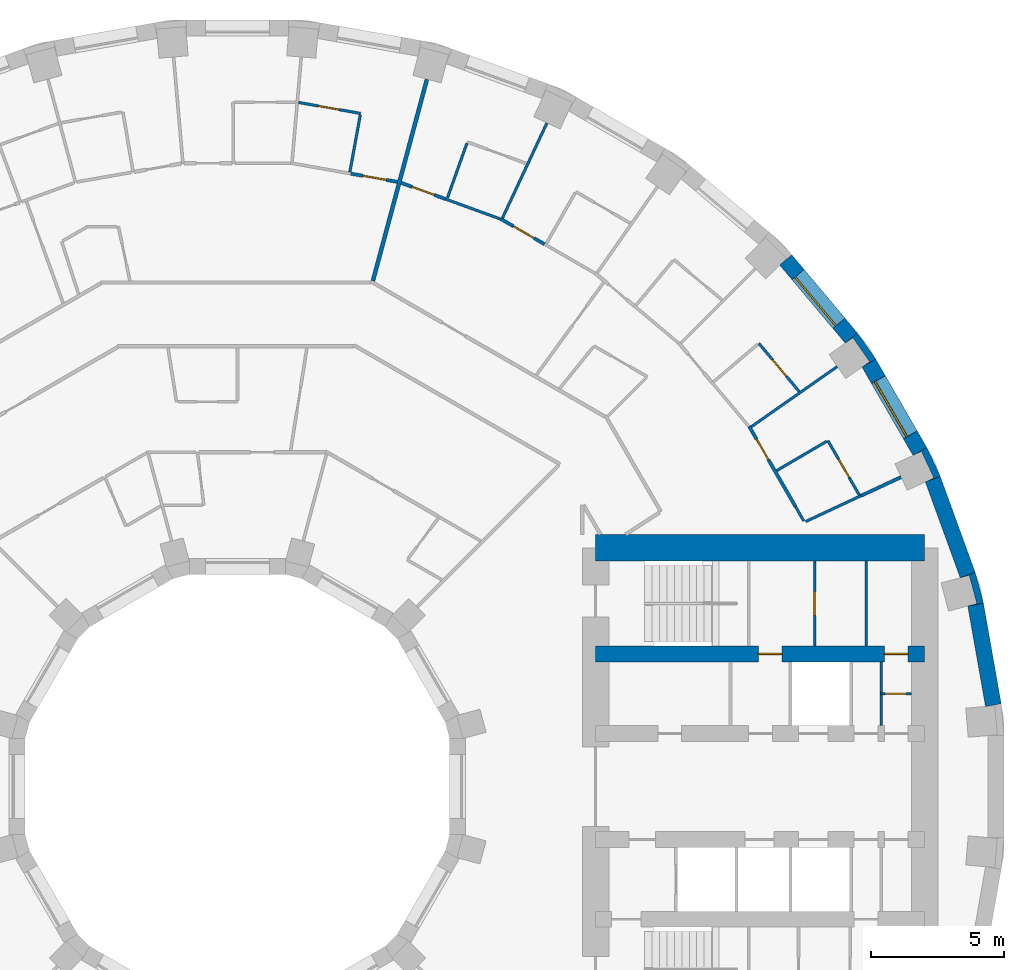
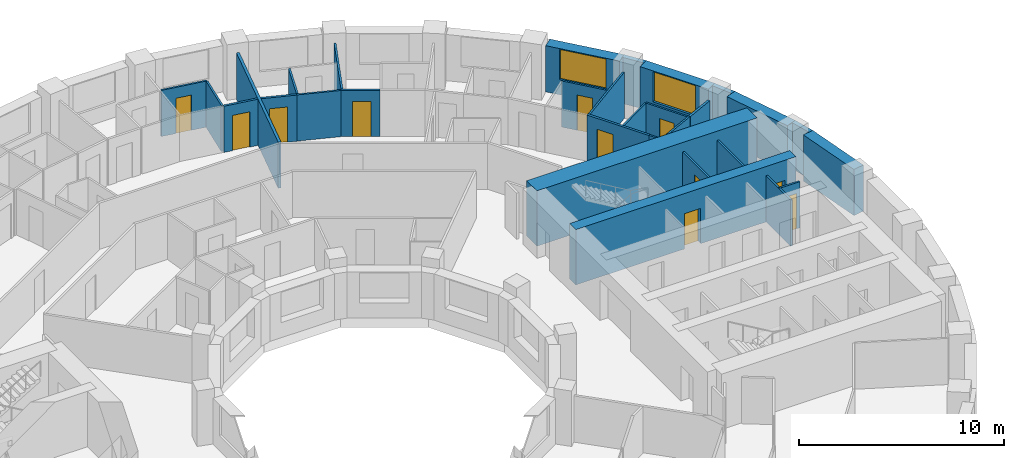
# One storey, part 14 of 17: 30 walls, 11 doors, 2 windows, 13 openings.
"""IFC4 building model written with IfcOpenShell, lengths in metres."""

import ifcopenshell
import ifcopenshell.guid

model = None  # the IFC model being written
_history = None  # IfcOwnerHistory: only IFC2X3 demands one
_inside = {}  # id of a spatial element -> (the spatial element, [elements in it])
_under = {}  # id of a project, library or spatial element -> (it, [spatial elements below it])
_declared = {}  # id of a project -> (the project, [libraries it declares])
_typed = {}  # id of a type object -> (the type object, [elements of that type])
_made_of = {}  # id of a material, layer set ... -> (it, [elements and type objects made of it])


def new_model(schema):
    """Start an empty IFC model of exactly this schema.

    Asked for "IFC4X3", IfcOpenShell would pick the latest addendum, in which some entities
    have other attributes; the version numbers below select the first issue.
    IFC2X3 requires an IfcOwnerHistory on every rooted entity: one is made here for all.
    """
    global model, _history
    if schema == "IFC4X3":
        model = ifcopenshell.file(schema_version=(4, 3, 0, 0))
    else:
        model = ifcopenshell.file(schema=schema)
    _inside.clear()
    _under.clear()
    _declared.clear()
    _typed.clear()
    _made_of.clear()
    _history = None
    if model.schema == "IFC2X3":
        org = make("IfcOrganization", Name="unknown")
        user = make(
            "IfcPersonAndOrganization",
            ThePerson=make("IfcPerson", FamilyName="unknown"),
            TheOrganization=org,
        )
        app = make(
            "IfcApplication",
            ApplicationDeveloper=org,
            Version="unknown",
            ApplicationFullName="unknown",
            ApplicationIdentifier="unknown",
        )
        _history = make(
            "IfcOwnerHistory",
            OwningUser=user,
            OwningApplication=app,
            ChangeAction="ADDED",
            CreationDate=0,
        )
    return model


def make(cls, **values):
    """One entity of the class cls with the attributes given. An attribute that is None is left unset."""
    return model.create_entity(
        cls, **{name: value for name, value in values.items() if value is not None}
    )


def rooted(cls, **values):
    """An entity with a GlobalId (a new one), such as an element, a storey or a relation."""
    return make(cls, GlobalId=ifcopenshell.guid.new(), OwnerHistory=_history, **values)


def si_unit(unit_type, name, prefix=None):
    """IfcSIUnit, for example si_unit("LENGTHUNIT", "METRE", prefix="MILLI")."""
    return make("IfcSIUnit", UnitType=unit_type, Prefix=prefix, Name=name)


def assignment(units):
    """IfcUnitAssignment: the units of a project."""
    return None if units is None else make("IfcUnitAssignment", Units=units)


def point(xyz):
    """IfcCartesianPoint."""
    return None if xyz is None else make("IfcCartesianPoint", Coordinates=xyz)


def direction(xyz):
    """IfcDirection."""
    return None if xyz is None else make("IfcDirection", DirectionRatios=xyz)


def frame(location, z_axis=None, x_axis=None):
    """IfcAxis2Placement3D, a coordinate frame: its origin and axes. An axis left out is left unset."""
    return make(
        "IfcAxis2Placement3D",
        Location=point(location),
        Axis=direction(z_axis),
        RefDirection=direction(x_axis),
    )


def frame_2d(location, x_axis=None):
    """IfcAxis2Placement2D, a coordinate frame in the plane: its origin and x axis."""
    return make(
        "IfcAxis2Placement2D", Location=point(location), RefDirection=direction(x_axis)
    )


def origin():
    """The frame at (0, 0, 0) with its axes left unset."""
    return frame((0.0, 0.0, 0.0))


def place(relative_to, where):
    """IfcLocalPlacement: puts the frame where relative to a parent placement (None: the world)."""
    return make(
        "IfcLocalPlacement", PlacementRelTo=relative_to, RelativePlacement=where
    )


def context(
    kind, dimensions, precision=None, world=None, true_north=None, identifier=None
):
    """IfcGeometricRepresentationContext, for example the 3D "Model" context."""
    return make(
        "IfcGeometricRepresentationContext",
        ContextIdentifier=identifier,
        ContextType=kind,
        CoordinateSpaceDimension=dimensions,
        Precision=precision,
        WorldCoordinateSystem=world,
        TrueNorth=true_north,
    )


def subcontext(parent, identifier, kind, view, scale=None):
    """IfcGeometricRepresentationSubContext, for example "Body" below "Model"."""
    return make(
        "IfcGeometricRepresentationSubContext",
        ContextIdentifier=identifier,
        ContextType=kind,
        ParentContext=parent,
        TargetScale=scale,
        TargetView=view,
    )


def project(units=None, contexts=None):
    """IfcProject with its units and contexts."""
    return rooted(
        "IfcProject",
        Name="project",
        RepresentationContexts=contexts,
        UnitsInContext=assignment(units),
    )


def spatial(cls, under=None, at=None, **own):
    """A site, building, storey or space (cls), placed at a placement, below another one or the project."""
    s = rooted(cls, ObjectPlacement=at, **own)
    if under is not None:
        _under.setdefault(under.id(), (under, []))[1].append(s)
    return s


def polyline(points):
    """IfcPolyline through the points."""
    return make("IfcPolyline", Points=[point(p) for p in points])


def profile(cls, at=None, kind="AREA", **sizes):
    """A parametric profile (cls). Its sizes go by their IFC names, for example OverallWidth=200.0."""
    return make(cls, ProfileType=kind, Position=at, **sizes)


def rectangle(**sizes):
    """IfcRectangleProfileDef."""
    return profile("IfcRectangleProfileDef", **sizes)


def outline(outer, holes=None, kind="AREA"):
    """IfcArbitraryClosedProfileDef: a profile drawn as a closed curve; with holes, ...WithVoids."""
    if holes is None:
        return make("IfcArbitraryClosedProfileDef", ProfileType=kind, OuterCurve=outer)
    return make(
        "IfcArbitraryProfileDefWithVoids",
        ProfileType=kind,
        OuterCurve=outer,
        InnerCurves=holes,
    )


def extrude(swept, where, along, depth):
    """IfcExtrudedAreaSolid: the profile swept, set in the frame where, extruded along a direction by depth."""
    return make(
        "IfcExtrudedAreaSolid",
        SweptArea=swept,
        Position=where,
        ExtrudedDirection=direction(along),
        Depth=depth,
    )


def shape(context_of_items, identifier, shape_type, items):
    """IfcShapeRepresentation: the items that make up one representation, for example the "Body"."""
    return make(
        "IfcShapeRepresentation",
        ContextOfItems=context_of_items,
        RepresentationIdentifier=identifier,
        RepresentationType=shape_type,
        Items=items,
    )


def material(Name=None, Category=None):
    """IfcMaterial."""
    return make("IfcMaterial", Name=Name, Category=Category)


def layer(
    of_material, thickness, ventilated=None, Name=None, Category=None, Priority=None
):
    """IfcMaterialLayer: one layer of a wall or slab, of a material (None: an air gap)."""
    return make(
        "IfcMaterialLayer",
        Material=of_material,
        LayerThickness=thickness,
        IsVentilated=ventilated,
        Name=Name,
        Category=Category,
        Priority=Priority,
    )


def layer_set(layers, Name=None):
    """IfcMaterialLayerSet."""
    return make("IfcMaterialLayerSet", MaterialLayers=layers, LayerSetName=Name)


def made_of(thing, what):
    """Note that an element or type object is made of a material, layer set ...; save() writes the relation."""
    if what is not None:
        _made_of.setdefault(what.id(), (what, []))[1].append(thing)
    return thing


def type_object(cls, material=None, **own):
    """A type object (cls), such as IfcWallType, which elements share."""
    return made_of(rooted(cls, **own), material)


def element(
    cls,
    number,
    at=None,
    inside=None,
    cuts=None,
    type_object=None,
    material=None,
    context=None,
    identifier="Body",
    shape_type=None,
    held_by="IfcProductDefinitionShape",
    body=None,
    shapes=None,
    **own,
):
    """One element of the class cls, such as IfcWall. Its Tag is "e" and its number.

    at: its placement. inside: the storey or other place that contains it. cuts: it is an
    opening in that element (IfcRelVoidsElement). A single representation is given by context,
    identifier, shape_type and body (its items); several are given by shapes. held_by: the class
    of the entity that holds the representations. save() writes the other relations.
    """
    e = rooted(cls, Tag="e%d" % number, ObjectPlacement=at, **own)
    if body is not None:
        shapes = [shape(context, identifier, shape_type, body)]
    if shapes is not None:
        e.Representation = make(held_by, Representations=shapes)
    if inside is not None:
        _inside.setdefault(inside.id(), (inside, []))[1].append(e)
    if cuts is not None:
        rooted(
            "IfcRelVoidsElement", RelatingBuildingElement=cuts, RelatedOpeningElement=e
        )
    if type_object is not None:
        _typed.setdefault(type_object.id(), (type_object, []))[1].append(e)
    return made_of(e, material)


def fill(opening, filler):
    """IfcRelFillsElement: the door or window that sits in an opening."""
    return rooted(
        "IfcRelFillsElement",
        RelatingOpeningElement=opening,
        RelatedBuildingElement=filler,
    )


def aggregate(whole, parts):
    """IfcRelAggregates: a whole, such as a stair, and the parts it consists of."""
    return rooted("IfcRelAggregates", RelatingObject=whole, RelatedObjects=parts)


def save(model, path):
    """Write the relations noted so far, then the file.

    IfcRelAggregates (storeys below a building ...), IfcRelContainedInSpatialStructure (elements
    in a storey), IfcRelDefinesByType, IfcRelAssociatesMaterial and IfcRelDeclares: one each for
    every whole, place, type object, material and project.
    """
    for whole, parts in _under.values():
        aggregate(whole, parts)
    for where, things in _inside.values():
        rooted(
            "IfcRelContainedInSpatialStructure",
            RelatedElements=things,
            RelatingStructure=where,
        )
    for kind, things in _typed.values():
        rooted("IfcRelDefinesByType", RelatedObjects=things, RelatingType=kind)
    for what, things in _made_of.values():
        rooted("IfcRelAssociatesMaterial", RelatedObjects=things, RelatingMaterial=what)
    for by, libraries in _declared.values():
        rooted("IfcRelDeclares", RelatingContext=by, RelatedDefinitions=libraries)
    model.write(path)


model = new_model("IFC4")

# Units and contexts
model_context = context("Model", 3, precision=1e-05, world=origin(), true_north=direction((0.0, 1.0)))
body_context = subcontext(model_context, "Body", "Model", "MODEL_VIEW")
ifc_project = project(units=[si_unit("LENGTHUNIT", "METRE"), si_unit("AREAUNIT", "SQUARE_METRE"), si_unit("VOLUMEUNIT", "CUBIC_METRE"), si_unit("PLANEANGLEUNIT", "RADIAN"), si_unit("MASSUNIT", "GRAM", prefix="KILO")], contexts=[model_context])

# Site, building, storey
site_placement = place(None, origin())
site = spatial("IfcSite", under=ifc_project, at=site_placement, CompositionType="ELEMENT")
building_placement = place(site_placement, origin())
building = spatial("IfcBuilding", under=site, at=building_placement, Name="Saqina Gate Tower", CompositionType="ELEMENT")
storey_placement = place(building_placement, frame((0.0, 0.0, 29.60009765625)))
storey = spatial("IfcBuildingStorey", under=building, at=storey_placement, Name="L07", CompositionType="ELEMENT", Elevation=29.60009765625)

# Walls
ifc_material_1 = material(Name="Brick masonry (red)", Category="masonry")
wall_type_1 = type_object("IfcWallType", Name="BRICK PIER COPING RED", PredefinedType="SOLIDWALL", material=ifc_material_1)
wall_1_placement = place(storey_placement, origin())
element("IfcWall", 1, at=wall_1_placement, inside=storey, type_object=wall_type_1, Name="Pier cap L07 column 2", PredefinedType="SOLIDWALL", context=body_context, shape_type="SweptSolid", body=[
    extrude(outline(polyline([(28.11669921875, 6.910400390625), (27.80517578125, 8.073974609375), (27.2412109375, 7.86865234375), (27.57958984375, 7.95947265625), (27.864501953125, 6.896728515625), (27.52587890625, 6.80615234375), (28.11669921875, 6.910400390625)])), origin(), (0.0, 0.0, 1.0), 2.75),
])
wall_2_placement = place(storey_placement, origin())
element("IfcWall", 2, at=wall_2_placement, inside=storey, type_object=wall_type_1, Name="Pier cap L07 column 3", PredefinedType="SOLIDWALL", context=body_context, shape_type="SweptSolid", body=[
    extrude(outline(polyline([(25.980712890625, 12.779541015625), (25.4609375, 12.4794921875), (25.778564453125, 12.627685546875), (26.243408203125, 11.630615234375), (25.92578125, 11.482666015625), (26.48974609375, 11.687744140625), (25.980712890625, 12.779541015625)])), origin(), (0.0, 0.0, 1.0), 2.75),
])
wall_3_placement = place(storey_placement, origin())
element("IfcWall", 3, at=wall_3_placement, inside=storey, type_object=wall_type_1, Name="Pier cap L07 column 4", PredefinedType="SOLIDWALL", context=body_context, shape_type="SweptSolid", body=[
    extrude(outline(polyline([(24.0576171875, 16.110107421875), (23.36669921875, 17.096923828125), (22.9072265625, 16.711181640625), (23.194091796875, 16.912109375), (23.8251953125, 16.010986328125), (23.5380859375, 15.81005859375), (24.0576171875, 16.110107421875)])), origin(), (0.0, 0.0, 1.0), 2.75),
])
ifc_material_2 = material(Name="Gypsum board on steel studs", Category="steel")
ifc_layer_1 = layer(ifc_material_2, 0.10009765625)
ifc_layer_set_1 = layer_set([ifc_layer_1], Name="CORE PARTITION")
wall_type_2 = type_object("IfcWallType", Name="CORE PARTITION", PredefinedType="PARTITIONING", material=ifc_layer_set_1)
wall_4_placement = place(storey_placement, frame((24.260009765625, 2.300048828125, 0.0), z_axis=(0.0, 0.0, 1.0), x_axis=(0.0, 1.0, 0.0)))
element("IfcWall", 4, at=wall_4_placement, inside=storey, type_object=wall_type_2, Name="L07-CP-E04", PredefinedType="PARTITIONING", context=body_context, shape_type="SweptSolid", body=[
    extrude(rectangle(XDim=2.39990234375, YDim=0.10009765625, at=frame_2d((1.199951171875, 0.0))), origin(), (0.0, 0.0, 1.0), 2.75),
])

# Wall, opening, door
wall_5_placement = place(storey_placement, frame((24.260009765625, 3.5, 0.0), z_axis=(0.0, 0.0, 1.0), x_axis=(1.0, 0.0, 0.0)))
wall_5 = element("IfcWall", 5, at=wall_5_placement, inside=storey, type_object=wall_type_2, Name="L07-CP-E10", PredefinedType="PARTITIONING", context=body_context, shape_type="SweptSolid", body=[
    extrude(rectangle(XDim=1.139892578125, YDim=0.10009765625, at=frame_2d((0.56982421875, 0.0))), origin(), (0.0, 0.0, 1.0), 2.75),
])
opening_1_placement = place(wall_5_placement, frame((0.14990234375, 0.0, 0.0)))
opening_1 = element("IfcOpeningElement", 6, at=opening_1_placement, cuts=wall_5, Name="Opening G01-D97", PredefinedType="OPENING", context=body_context, shape_type="SweptSolid", body=[
    extrude(rectangle(XDim=0.800048828125, YDim=2.10009765625, at=frame_2d((0.39990234375, 1.050048828125))), frame((0.0, 0.06201171875, 0.0), z_axis=(0.0, -1.0, 0.0), x_axis=(1.0, 0.0, 0.0)), (0.0, 0.0, 1.0), 0.1240234375),
])
ifc_material_3 = material(Name="Steel-framed fire door leaf, EI 60", Category="steel")
door_type_1 = type_object("IfcDoorType", Name="SERVICE ROOM DOOR 800", OperationType="SINGLE_SWING_LEFT", PredefinedType="DOOR", material=ifc_material_3)
door_1_placement = place(opening_1_placement, origin())
door_1 = element("IfcDoor", 7, at=door_1_placement, inside=storey, type_object=door_type_1, Name="L07-CD-E08", OperationType="SINGLE_SWING_RIGHT", OverallHeight=2.10009765625, OverallWidth=0.800048828125, PredefinedType="DOOR", context=body_context, shape_type="SweptSolid", body=[
    extrude(rectangle(XDim=0.800048828125, YDim=2.10009765625, at=frame_2d((0.39990234375, 1.050048828125))), frame((0.0, 0.02490234375, 0.0), z_axis=(0.0, -1.0, 0.0), x_axis=(1.0, 0.0, 0.0)), (0.0, 0.0, 1.0), 0.050048828125),
])
fill(opening_1, door_1)

wall_6_placement = place(storey_placement, frame((21.751953125, 5.300048828125, 0.0), z_axis=(0.0, 0.0, 1.0), x_axis=(0.0, 1.0, 0.0)))
wall_6 = element("IfcWall", 8, at=wall_6_placement, inside=storey, type_object=wall_type_2, Name="L07-CP-E12", PredefinedType="PARTITIONING", context=body_context, shape_type="SweptSolid", body=[
    extrude(rectangle(XDim=3.199951171875, YDim=0.10009765625, at=frame_2d((1.60009765625, 0.0))), origin(), (0.0, 0.0, 1.0), 2.75),
])
opening_2_placement = place(wall_6_placement, frame((1.14990234375, 0.0, 0.0)))
opening_2 = element("IfcOpeningElement", 9, at=opening_2_placement, cuts=wall_6, Name="Opening G01-D126", PredefinedType="OPENING", context=body_context, shape_type="SweptSolid", body=[
    extrude(rectangle(XDim=0.89990234375, YDim=2.10009765625, at=frame_2d((0.449951171875, 1.050048828125))), frame((0.0, 0.06201171875, 0.0), z_axis=(0.0, -1.0, 0.0), x_axis=(1.0, 0.0, 0.0)), (0.0, 0.0, 1.0), 0.1240234375),
])
ifc_material_4 = material(Name="Steel-framed fire door leaf, EI 60", Category="steel")
door_type_2 = type_object("IfcDoorType", Name="SERVICE ROOM DOOR 900", OperationType="SINGLE_SWING_LEFT", PredefinedType="DOOR", material=ifc_material_4)
door_2_placement = place(opening_2_placement, origin())
door_2 = element("IfcDoor", 10, at=door_2_placement, inside=storey, type_object=door_type_2, Name="L07-CD-E09", OperationType="SINGLE_SWING_LEFT", OverallHeight=2.10009765625, OverallWidth=0.89990234375, PredefinedType="DOOR", context=body_context, shape_type="SweptSolid", body=[
    extrude(rectangle(XDim=0.89990234375, YDim=2.10009765625, at=frame_2d((0.449951171875, 1.050048828125))), frame((0.0, 0.02490234375, 0.0), z_axis=(0.0, -1.0, 0.0), x_axis=(1.0, 0.0, 0.0)), (0.0, 0.0, 1.0), 0.050048828125),
])
fill(opening_2, door_2)

# Wall
wall_7_placement = place(storey_placement, frame((23.697509765625, 5.300048828125, 0.0), z_axis=(0.0, 0.0, 1.0), x_axis=(0.0, 1.0, 0.0)))
element("IfcWall", 11, at=wall_7_placement, inside=storey, type_object=wall_type_2, Name="L07-CP-E13", PredefinedType="PARTITIONING", context=body_context, shape_type="SweptSolid", body=[
    extrude(rectangle(XDim=3.199951171875, YDim=0.10009765625, at=frame_2d((1.60009765625, 0.0))), origin(), (0.0, 0.0, 1.0), 2.75),
])

# Wall, opening, window
ifc_material_5 = material(Name="Brick masonry (red)", Category="masonry")
ifc_layer_2 = layer(ifc_material_5, 0.60009765625)
ifc_layer_set_2 = layer_set([ifc_layer_2], Name="FW-BRICK-RED")
wall_type_3 = type_object("IfcWallType", Name="FW-BRICK-RED", PredefinedType="SOLIDWALL", material=ifc_layer_set_2)
wall_8_placement = place(storey_placement, frame((25.720703125, 12.629638671875, 0.0), z_axis=(0.0, 0.0, 1.0), x_axis=(-0.499989888488, 0.86603124159, 0.0)))
wall_8 = element("IfcWall", 12, at=wall_8_placement, inside=storey, type_object=wall_type_3, Name="Facade wall L07 facet 3", PredefinedType="SOLIDWALL", context=body_context, shape_type="SweptSolid", body=[
    extrude(rectangle(XDim=3.845703125, YDim=0.60009765625, at=frame_2d((1.9228515625, 0.0))), origin(), (0.0, 0.0, 1.0), 2.75),
])
opening_3_placement = place(wall_8_placement, frame((0.722900390625, 0.0, 0.89990234375)))
opening_3 = element("IfcOpeningElement", 13, at=opening_3_placement, cuts=wall_8, Name="Opening G01-W01", PredefinedType="OPENING", context=body_context, shape_type="SweptSolid", body=[
    extrude(rectangle(XDim=2.39990234375, YDim=1.800048828125, at=frame_2d((1.199951171875, 0.89990234375))), frame((0.0, 0.31201171875, 0.0), z_axis=(0.0, -1.0, 0.0), x_axis=(1.0, 0.0, 0.0)), (0.0, 0.0, 1.0), 0.6240234375),
])
ifc_material_6 = material(Name="Aluminium glazing", Category="aluminium")
window_type = type_object("IfcWindowType", Name="WN-A", PartitioningType="SINGLE_PANEL", PredefinedType="WINDOW", material=ifc_material_6)
window_1_placement = place(opening_3_placement, origin())
window_1 = element("IfcWindow", 14, at=window_1_placement, inside=storey, type_object=window_type, Name="Window L07 facet 3", OverallHeight=1.800048828125, OverallWidth=2.39990234375, PartitioningType="SINGLE_PANEL", PredefinedType="WINDOW", context=body_context, shape_type="SweptSolid", body=[
    extrude(rectangle(XDim=2.39990234375, YDim=1.800048828125, at=frame_2d((1.199951171875, 0.89990234375))), frame((0.0, 0.179931640625, 0.0), z_axis=(0.0, -1.0, 0.0), x_axis=(1.0, 0.0, 0.0)), (0.0, 0.0, 1.0), 0.06005859375),
])
fill(opening_3, window_1)

wall_9_placement = place(storey_placement, frame((23.136962890625, 16.904052734375, 0.0), z_axis=(0.0, 0.0, 1.0), x_axis=(-0.642809392687, 0.766026164483, 0.0)))
wall_9 = element("IfcWall", 15, at=wall_9_placement, inside=storey, type_object=wall_type_3, Name="Facade wall L07 facet 4", PredefinedType="SOLIDWALL", context=body_context, shape_type="SweptSolid", body=[
    extrude(rectangle(XDim=3.845947265625, YDim=0.60009765625, at=frame_2d((1.9228515625, 0.0))), origin(), (0.0, 0.0, 1.0), 2.75),
])
opening_4_placement = place(wall_9_placement, frame((0.722900390625, 0.0, 0.89990234375)))
opening_4 = element("IfcOpeningElement", 16, at=opening_4_placement, cuts=wall_9, Name="Opening G01-W02", PredefinedType="OPENING", context=body_context, shape_type="SweptSolid", body=[
    extrude(rectangle(XDim=2.39990234375, YDim=1.800048828125, at=frame_2d((1.199951171875, 0.89990234375))), frame((0.0, 0.31201171875, 0.0), z_axis=(0.0, -1.0, 0.0), x_axis=(1.0, 0.0, 0.0)), (0.0, 0.0, 1.0), 0.6240234375),
])
window_2_placement = place(opening_4_placement, origin())
window_2 = element("IfcWindow", 17, at=window_2_placement, inside=storey, type_object=window_type, Name="Window L07 facet 4", OverallHeight=1.800048828125, OverallWidth=2.39990234375, PartitioningType="SINGLE_PANEL", PredefinedType="WINDOW", context=body_context, shape_type="SweptSolid", body=[
    extrude(rectangle(XDim=2.39990234375, YDim=1.800048828125, at=frame_2d((1.199951171875, 0.89990234375))), frame((0.0, 0.179931640625, 0.0), z_axis=(0.0, -1.0, 0.0), x_axis=(1.0, 0.0, 0.0)), (0.0, 0.0, 1.0), 0.06005859375),
])
fill(opening_4, window_2)

# Walls
ifc_material_7 = material(Name="Glazed ceramic tile", Category="ceramic")
ifc_layer_3 = layer(ifc_material_7, 0.60009765625)
ifc_layer_set_3 = layer_set([ifc_layer_3], Name="FW-TILE")
wall_type_4 = type_object("IfcWallType", Name="FW-TILE", PredefinedType="SOLIDWALL", material=ifc_layer_set_3)
wall_10_placement = place(storey_placement, frame((27.523193359375, 7.97119140625, 0.0), z_axis=(0.0, 0.0, 1.0), x_axis=(-0.342028474173, 0.939689588564, 0.0)))
element("IfcWall", 18, at=wall_10_placement, inside=storey, type_object=wall_type_4, Name="Facade wall L07 facet 2", PredefinedType="SOLIDWALL", context=body_context, shape_type="SweptSolid", body=[
    extrude(rectangle(XDim=3.845947265625, YDim=0.60009765625, at=frame_2d((1.9228515625, 0.0))), origin(), (0.0, 0.0, 1.0), 2.75),
])
ifc_material_8 = material(Name="Glazed ceramic tile (white)", Category="ceramic")
ifc_layer_4 = layer(ifc_material_8, 0.60009765625)
ifc_layer_set_4 = layer_set([ifc_layer_4], Name="FW-TILE-WH")
wall_type_5 = type_object("IfcWallType", Name="FW-TILE-WH", PredefinedType="SOLIDWALL", material=ifc_layer_set_4)
wall_11_placement = place(storey_placement, frame((28.4892578125, 3.07080078125, 0.0), z_axis=(0.0, 0.0, 1.0), x_axis=(-0.173687553279, 0.984800809218, 0.0)))
element("IfcWall", 19, at=wall_11_placement, inside=storey, type_object=wall_type_5, Name="Facade wall L07 facet 1", PredefinedType="SOLIDWALL", context=body_context, shape_type="SweptSolid", body=[
    extrude(rectangle(XDim=3.845703125, YDim=0.60009765625, at=frame_2d((1.9228515625, 0.0))), origin(), (0.0, 0.0, 1.0), 2.75),
])
ifc_material_9 = material(Name="Gypsum board on steel studs, 100 mm", Category="steel")
ifc_layer_5 = layer(ifc_material_9, 0.10009765625)
ifc_layer_set_5 = layer_set([ifc_layer_5], Name="PARTITION 100")
wall_type_6 = type_object("IfcWallType", Name="PARTITION 100", PredefinedType="PARTITIONING", material=ifc_layer_set_5)
wall_12_placement = place(storey_placement, frame((21.029296875, 10.555419921875, 0.0), z_axis=(0.0, 0.0, 1.0), x_axis=(0.49975591337, -0.86616628141, 0.0)))
element("IfcWall", 20, at=wall_12_placement, inside=storey, type_object=wall_type_6, Name="PARTITION PW3-24", PredefinedType="PARTITIONING", context=body_context, shape_type="SweptSolid", body=[
    extrude(rectangle(XDim=0.631591796875, YDim=0.10009765625, at=frame_2d((0.31591796875, 0.0))), origin(), (0.0, 0.0, 1.0), 2.75),
])

# Wall, opening, door
wall_13_placement = place(storey_placement, frame((22.251953125, 13.0380859375, 0.0), z_axis=(0.0, 0.0, 1.0), x_axis=(0.500073288705, -0.865983086396, 0.0)))
wall_13 = element("IfcWall", 21, at=wall_13_placement, inside=storey, type_object=wall_type_6, Name="PARTITION PW3-25", PredefinedType="PARTITIONING", context=body_context, shape_type="SweptSolid", body=[
    extrude(rectangle(XDim=2.369384765625, YDim=0.10009765625, at=frame_2d((1.1845703125, 0.0))), origin(), (0.0, 0.0, 1.0), 2.75),
])
opening_5_placement = place(wall_13_placement, frame((0.810791015625, 0.0, 0.0)))
opening_5 = element("IfcOpeningElement", 22, at=opening_5_placement, cuts=wall_13, Name="Opening G01-D01", PredefinedType="OPENING", context=body_context, shape_type="SweptSolid", body=[
    extrude(rectangle(XDim=0.800048828125, YDim=2.10009765625, at=frame_2d((0.39990234375, 1.050048828125))), frame((0.0, 0.06201171875, 0.0), z_axis=(0.0, -1.0, 0.0), x_axis=(1.0, 0.0, 0.0)), (0.0, 0.0, 1.0), 0.1240234375),
])
ifc_material_10 = material(Name="Timber door leaf, 800 mm", Category="wood")
door_type_3 = type_object("IfcDoorType", Name="DOOR 800 TIMBER", OperationType="SINGLE_SWING_LEFT", PredefinedType="DOOR", material=ifc_material_10)
door_3_placement = place(opening_5_placement, origin())
door_3 = element("IfcDoor", 23, at=door_3_placement, inside=storey, type_object=door_type_3, Name="DOOR G01-D01", OperationType="SINGLE_SWING_RIGHT", OverallHeight=2.10009765625, OverallWidth=0.800048828125, PredefinedType="DOOR", context=body_context, shape_type="SweptSolid", body=[
    extrude(rectangle(XDim=0.800048828125, YDim=2.10009765625, at=frame_2d((0.39990234375, 1.050048828125))), frame((0.0, 0.02490234375, 0.0), z_axis=(0.0, -1.0, 0.0), x_axis=(1.0, 0.0, 0.0)), (0.0, 0.0, 1.0), 0.050048828125),
])
fill(opening_5, door_3)

wall_14_placement = place(storey_placement, frame((19.64990234375, 16.7041015625, 0.0), z_axis=(0.0, 0.0, 1.0), x_axis=(0.642631758034, -0.766175191171, 0.0)))
wall_14 = element("IfcWall", 24, at=wall_14_placement, inside=storey, type_object=wall_type_6, Name="PARTITION PW3-30", PredefinedType="PARTITIONING", context=body_context, shape_type="SweptSolid", body=[
    extrude(rectangle(XDim=2.371337890625, YDim=0.10009765625, at=frame_2d((1.185546875, 0.0))), origin(), (0.0, 0.0, 1.0), 2.75),
])
opening_6_placement = place(wall_14_placement, frame((0.810546875, 0.0, 0.0)))
opening_6 = element("IfcOpeningElement", 25, at=opening_6_placement, cuts=wall_14, Name="Opening G01-D03", PredefinedType="OPENING", context=body_context, shape_type="SweptSolid", body=[
    extrude(rectangle(XDim=0.800048828125, YDim=2.10009765625, at=frame_2d((0.39990234375, 1.050048828125))), frame((0.0, 0.06201171875, 0.0), z_axis=(0.0, -1.0, 0.0), x_axis=(1.0, 0.0, 0.0)), (0.0, 0.0, 1.0), 0.1240234375),
])
door_4_placement = place(opening_6_placement, origin())
door_4 = element("IfcDoor", 26, at=door_4_placement, inside=storey, type_object=door_type_3, Name="DOOR G01-D03", OperationType="SINGLE_SWING_RIGHT", OverallHeight=2.10009765625, OverallWidth=0.800048828125, PredefinedType="DOOR", context=body_context, shape_type="SweptSolid", body=[
    extrude(rectangle(XDim=0.800048828125, YDim=2.10009765625, at=frame_2d((0.39990234375, 1.050048828125))), frame((0.0, 0.02490234375, 0.0), z_axis=(0.0, -1.0, 0.0), x_axis=(1.0, 0.0, 0.0)), (0.0, 0.0, 1.0), 0.050048828125),
])
fill(opening_6, door_4)

# Wall
wall_15_placement = place(storey_placement, frame((7.845947265625, 22.14111328125, 0.0), z_axis=(0.0, 0.0, 1.0), x_axis=(0.939712116987, -0.341966573204, 0.0)))
element("IfcWall", 27, at=wall_15_placement, inside=storey, type_object=wall_type_6, Name="PARTITION PW3-49", PredefinedType="PARTITIONING", context=body_context, shape_type="SweptSolid", body=[
    extrude(rectangle(XDim=2.1923828125, YDim=0.10009765625, at=frame_2d((1.09619140625, 0.0))), origin(), (0.0, 0.0, 1.0), 2.75),
])

# Wall, opening, door
wall_16_placement = place(storey_placement, frame((2.30517578125, 25.78125, 0.0), z_axis=(0.0, 0.0, 1.0), x_axis=(0.984774232096, -0.17383817705, 0.0)))
wall_16 = element("IfcWall", 28, at=wall_16_placement, inside=storey, type_object=wall_type_6, Name="PARTITION PW3-54", PredefinedType="PARTITIONING", context=body_context, shape_type="SweptSolid", body=[
    extrude(rectangle(XDim=2.3720703125, YDim=0.10009765625, at=frame_2d((1.18603515625, 0.0))), origin(), (0.0, 0.0, 1.0), 2.75),
])
opening_7_placement = place(wall_16_placement, frame((0.760986328125, 0.0, 0.0)))
opening_7 = element("IfcOpeningElement", 29, at=opening_7_placement, cuts=wall_16, Name="Opening G01-D18", PredefinedType="OPENING", context=body_context, shape_type="SweptSolid", body=[
    extrude(rectangle(XDim=0.800048828125, YDim=2.10009765625, at=frame_2d((0.39990234375, 1.050048828125))), frame((0.0, 0.06201171875, 0.0), z_axis=(0.0, -1.0, 0.0), x_axis=(1.0, 0.0, 0.0)), (0.0, 0.0, 1.0), 0.1240234375),
])
door_5_placement = place(opening_7_placement, origin())
door_5 = element("IfcDoor", 30, at=door_5_placement, inside=storey, type_object=door_type_3, Name="DOOR G01-D18", OperationType="SINGLE_SWING_LEFT", OverallHeight=2.10009765625, OverallWidth=0.800048828125, PredefinedType="DOOR", context=body_context, shape_type="SweptSolid", body=[
    extrude(rectangle(XDim=0.800048828125, YDim=2.10009765625, at=frame_2d((0.39990234375, 1.050048828125))), frame((0.0, 0.02490234375, 0.0), z_axis=(0.0, -1.0, 0.0), x_axis=(1.0, 0.0, 0.0)), (0.0, 0.0, 1.0), 0.050048828125),
])
fill(opening_7, door_5)

# Walls
wall_17_placement = place(storey_placement, frame((21.414306640625, 9.988037109375, 0.0), z_axis=(0.0, 0.0, 1.0), x_axis=(0.906293839501, 0.42264817104, 0.0)))
element("IfcWall", 31, at=wall_17_placement, inside=storey, type_object=wall_type_6, Name="PARTITION PW3-74", PredefinedType="PARTITIONING", context=body_context, shape_type="SweptSolid", body=[
    extrude(rectangle(XDim=2.309326171875, YDim=0.10009765625, at=frame_2d((1.15478515625, 0.0))), origin(), (0.0, 0.0, 1.0), 2.75),
])
wall_18_placement = place(storey_placement, frame((20.322021484375, 11.906494140625, 0.0), z_axis=(0.0, 0.0, 1.0), x_axis=(0.862687894762, 0.505736686657, 0.0)))
element("IfcWall", 32, at=wall_18_placement, inside=storey, type_object=wall_type_6, Name="PARTITION PW3-83", PredefinedType="PARTITIONING", context=body_context, shape_type="SweptSolid", body=[
    extrude(rectangle(XDim=2.187255859375, YDim=0.10009765625, at=frame_2d((1.09375, 0.0))), origin(), (0.0, 0.0, 1.0), 2.75),
])
wall_19_placement = place(storey_placement, frame((19.3662109375, 13.560791015625, 0.0), z_axis=(0.0, 0.0, 1.0), x_axis=(0.819199961449, 0.57350799747, 0.0)))
element("IfcWall", 33, at=wall_19_placement, inside=storey, type_object=wall_type_6, Name="PARTITION PW3-85", PredefinedType="PARTITIONING", context=body_context, shape_type="SweptSolid", body=[
    extrude(rectangle(XDim=3.947998046875, YDim=0.10009765625, at=frame_2d((1.97412109375, 0.0))), origin(), (0.0, 0.0, 1.0), 2.75),
])
wall_20_placement = place(storey_placement, frame((9.98388671875, 21.416259765625, 0.0), z_axis=(0.0, 0.0, 1.0), x_axis=(0.423587219874, 0.905855323525, 0.0)))
element("IfcWall", 34, at=wall_20_placement, inside=storey, type_object=wall_type_6, Name="PARTITION PW3-105", PredefinedType="PARTITIONING", context=body_context, shape_type="SweptSolid", body=[
    extrude(rectangle(XDim=3.960693359375, YDim=0.10009765625, at=frame_2d((1.98046875, 0.0))), origin(), (0.0, 0.0, 1.0), 2.75),
])
wall_21_placement = place(storey_placement, frame((7.9140625, 22.182861328125, 0.0), z_axis=(0.0, 0.0, 1.0), x_axis=(0.335940567571, 0.941883185464, 0.0)))
element("IfcWall", 35, at=wall_21_placement, inside=storey, type_object=wall_type_6, Name="PARTITION PW3-107", PredefinedType="PARTITIONING", context=body_context, shape_type="SweptSolid", body=[
    extrude(rectangle(XDim=2.188232421875, YDim=0.10009765625, at=frame_2d((1.09423828125, 0.0))), origin(), (0.0, 0.0, 1.0), 2.75),
])
wall_22_placement = place(storey_placement, frame((4.236083984375, 23.15625, 0.0), z_axis=(0.0, 0.0, 1.0), x_axis=(0.180037913286, 0.983659671726, 0.0)))
element("IfcWall", 36, at=wall_22_placement, inside=storey, type_object=wall_type_6, Name="PARTITION PW3-113", PredefinedType="PARTITIONING", context=body_context, shape_type="SweptSolid", body=[
    extrude(rectangle(XDim=2.199462890625, YDim=0.10009765625, at=frame_2d((1.099609375, 0.0))), origin(), (0.0, 0.0, 1.0), 2.75),
])

# Wall, opening, door
ifc_material_11 = material(Name="Gypsum board on steel studs, 125 mm, fire rated", Category="steel")
ifc_layer_6 = layer(ifc_material_11, 0.125)
ifc_layer_set_6 = layer_set([ifc_layer_6], Name="PARTITION EI 30 125")
wall_type_7 = type_object("IfcWallType", Name="PARTITION EI 30 125", PredefinedType="PARTITIONING", material=ifc_layer_set_6)
wall_23_placement = place(storey_placement, frame((19.283203125, 13.579833984375, 0.0), z_axis=(0.0, 0.0, 1.0), x_axis=(0.500206547268, -0.865906120818, 0.0)))
wall_23 = element("IfcWall", 37, at=wall_23_placement, inside=storey, type_object=wall_type_7, Name="PARTITION PW1-06", PredefinedType="PARTITIONING", context=body_context, shape_type="SweptSolid", body=[
    extrude(rectangle(XDim=3.4921875, YDim=0.125, at=frame_2d((1.74609375, 0.0))), origin(), (0.0, 0.0, 1.0), 2.75),
])
opening_8_placement = place(wall_23_placement, frame((0.566162109375, 0.0, 0.0)))
opening_8 = element("IfcOpeningElement", 38, at=opening_8_placement, cuts=wall_23, Name="Opening G01-D02", PredefinedType="OPENING", context=body_context, shape_type="SweptSolid", body=[
    extrude(rectangle(XDim=0.89990234375, YDim=2.10009765625, at=frame_2d((0.449951171875, 1.050048828125))), frame((0.0, 0.074462890625, 0.0), z_axis=(0.0, -1.0, 0.0), x_axis=(1.0, 0.0, 0.0)), (0.0, 0.0, 1.0), 0.14892578125),
])
ifc_material_12 = material(Name="Fire door leaf EI 30, 900 mm")
door_type_4 = type_object("IfcDoorType", Name="DOOR 900 EI 30", OperationType="SINGLE_SWING_LEFT", PredefinedType="DOOR", material=ifc_material_12)
door_6_placement = place(opening_8_placement, frame((0.89990234375, 0.0, 0.0), z_axis=(0.0, 0.0, 1.0), x_axis=(-1.0, 0.0, 0.0)))
door_6 = element("IfcDoor", 39, at=door_6_placement, inside=storey, type_object=door_type_4, Name="DOOR G01-D02", OperationType="SINGLE_SWING_RIGHT", OverallHeight=2.10009765625, OverallWidth=0.89990234375, PredefinedType="DOOR", context=body_context, shape_type="SweptSolid", body=[
    extrude(rectangle(XDim=0.89990234375, YDim=2.10009765625, at=frame_2d((0.449951171875, 1.050048828125))), frame((0.0, 0.02490234375, 0.0), z_axis=(0.0, -1.0, 0.0), x_axis=(1.0, 0.0, 0.0)), (0.0, 0.0, 1.0), 0.050048828125),
])
fill(opening_8, door_6)

wall_24_placement = place(storey_placement, frame((9.909912109375, 21.401611328125, 0.0), z_axis=(0.0, 0.0, 1.0), x_axis=(0.866191941426, -0.499711437341, 0.0)))
wall_24 = element("IfcWall", 40, at=wall_24_placement, inside=storey, type_object=wall_type_7, Name="PARTITION PW1-20", PredefinedType="PARTITIONING", context=body_context, shape_type="SweptSolid", body=[
    extrude(rectangle(XDim=1.918701171875, YDim=0.125, at=frame_2d((0.95947265625, 0.0))), origin(), (0.0, 0.0, 1.0), 2.75),
])
opening_9_placement = place(wall_24_placement, frame((0.56591796875, 0.0, 0.0)))
opening_9 = element("IfcOpeningElement", 41, at=opening_9_placement, cuts=wall_24, Name="Opening G01-D11", PredefinedType="OPENING", context=body_context, shape_type="SweptSolid", body=[
    extrude(rectangle(XDim=0.89990234375, YDim=2.10009765625, at=frame_2d((0.449951171875, 1.050048828125))), frame((0.0, 0.074462890625, 0.0), z_axis=(0.0, -1.0, 0.0), x_axis=(1.0, 0.0, 0.0)), (0.0, 0.0, 1.0), 0.14892578125),
])
door_7_placement = place(opening_9_placement, frame((0.89990234375, 0.0, 0.0), z_axis=(0.0, 0.0, 1.0), x_axis=(-1.0, 0.0, 0.0)))
door_7 = element("IfcDoor", 42, at=door_7_placement, inside=storey, type_object=door_type_4, Name="DOOR G01-D11", OperationType="SINGLE_SWING_RIGHT", OverallHeight=2.10009765625, OverallWidth=0.89990234375, PredefinedType="DOOR", context=body_context, shape_type="SweptSolid", body=[
    extrude(rectangle(XDim=0.89990234375, YDim=2.10009765625, at=frame_2d((0.449951171875, 1.050048828125))), frame((0.0, 0.02490234375, 0.0), z_axis=(0.0, -1.0, 0.0), x_axis=(1.0, 0.0, 0.0)), (0.0, 0.0, 1.0), 0.050048828125),
])
fill(opening_9, door_7)

wall_25_placement = place(storey_placement, frame((6.173583984375, 22.750244140625, 0.0), z_axis=(0.0, 0.0, 1.0), x_axis=(0.939613069721, -0.342238629044, 0.0)))
wall_25 = element("IfcWall", 43, at=wall_25_placement, inside=storey, type_object=wall_type_7, Name="PARTITION PW1-22", PredefinedType="PARTITIONING", context=body_context, shape_type="SweptSolid", body=[
    extrude(rectangle(XDim=1.77978515625, YDim=0.125, at=frame_2d((0.889892578125, 0.0))), origin(), (0.0, 0.0, 1.0), 2.75),
])
opening_10_placement = place(wall_25_placement, frame((0.427490234375, 0.0, 0.0)))
opening_10 = element("IfcOpeningElement", 44, at=opening_10_placement, cuts=wall_25, Name="Opening G01-D15", PredefinedType="OPENING", context=body_context, shape_type="SweptSolid", body=[
    extrude(rectangle(XDim=0.89990234375, YDim=2.10009765625, at=frame_2d((0.449951171875, 1.050048828125))), frame((0.0, 0.074462890625, 0.0), z_axis=(0.0, -1.0, 0.0), x_axis=(1.0, 0.0, 0.0)), (0.0, 0.0, 1.0), 0.14892578125),
])
door_8_placement = place(opening_10_placement, frame((0.89990234375, 0.0, 0.0), z_axis=(0.0, 0.0, 1.0), x_axis=(-1.0, 0.0, 0.0)))
door_8 = element("IfcDoor", 45, at=door_8_placement, inside=storey, type_object=door_type_4, Name="DOOR G01-D15", OperationType="SINGLE_SWING_RIGHT", OverallHeight=2.10009765625, OverallWidth=0.89990234375, PredefinedType="DOOR", context=body_context, shape_type="SweptSolid", body=[
    extrude(rectangle(XDim=0.89990234375, YDim=2.10009765625, at=frame_2d((0.449951171875, 1.050048828125))), frame((0.0, 0.02490234375, 0.0), z_axis=(0.0, -1.0, 0.0), x_axis=(1.0, 0.0, 0.0)), (0.0, 0.0, 1.0), 0.050048828125),
])
fill(opening_10, door_8)

wall_26_placement = place(storey_placement, frame((4.276123046875, 23.098388671875, 0.0), z_axis=(0.0, 0.0, 1.0), x_axis=(0.984784939559, -0.173777509529, 0.0)))
wall_26 = element("IfcWall", 46, at=wall_26_placement, inside=storey, type_object=wall_type_7, Name="PARTITION PW1-24", PredefinedType="PARTITIONING", context=body_context, shape_type="SweptSolid", body=[
    extrude(rectangle(XDim=1.780029296875, YDim=0.125, at=frame_2d((0.89013671875, 0.0))), origin(), (0.0, 0.0, 1.0), 2.75),
])
opening_11_placement = place(wall_26_placement, frame((0.452392578125, 0.0, 0.0)))
opening_11 = element("IfcOpeningElement", 47, at=opening_11_placement, cuts=wall_26, Name="Opening G01-D16", PredefinedType="OPENING", context=body_context, shape_type="SweptSolid", body=[
    extrude(rectangle(XDim=0.89990234375, YDim=2.10009765625, at=frame_2d((0.449951171875, 1.050048828125))), frame((0.0, 0.074462890625, 0.0), z_axis=(0.0, -1.0, 0.0), x_axis=(1.0, 0.0, 0.0)), (0.0, 0.0, 1.0), 0.14892578125),
])
door_9_placement = place(opening_11_placement, frame((0.89990234375, 0.0, 0.0), z_axis=(0.0, 0.0, 1.0), x_axis=(-1.0, 0.0, 0.0)))
door_9 = element("IfcDoor", 48, at=door_9_placement, inside=storey, type_object=door_type_4, Name="DOOR G01-D16", OperationType="SINGLE_SWING_LEFT", OverallHeight=2.10009765625, OverallWidth=0.89990234375, PredefinedType="DOOR", context=body_context, shape_type="SweptSolid", body=[
    extrude(rectangle(XDim=0.89990234375, YDim=2.10009765625, at=frame_2d((0.449951171875, 1.050048828125))), frame((0.0, 0.02490234375, 0.0), z_axis=(0.0, -1.0, 0.0), x_axis=(1.0, 0.0, 0.0)), (0.0, 0.0, 1.0), 0.050048828125),
])
fill(opening_11, door_9)

# Walls
wall_27_placement = place(storey_placement, frame((23.50830078125, 10.962158203125, 0.0), z_axis=(0.0, 0.0, 1.0), x_axis=(0.906360566975, 0.422505056339, 0.0)))
element("IfcWall", 49, at=wall_27_placement, inside=storey, type_object=wall_type_7, Name="PARTITION PW1-36", PredefinedType="PARTITIONING", context=body_context, shape_type="SweptSolid", body=[
    extrude(rectangle(XDim=1.6513671875, YDim=0.125, at=frame_2d((0.82568359375, 0.0))), origin(), (0.0, 0.0, 1.0), 2.75),
])
ifc_material_13 = material(Name="Gypsum board on steel studs, 150 mm, fire rated", Category="steel")
ifc_layer_7 = layer(ifc_material_13, 0.14990234375)
ifc_layer_set_7 = layer_set([ifc_layer_7], Name="PARTITION EI 60 150")
wall_type_8 = type_object("IfcWallType", Name="PARTITION EI 60 150", PredefinedType="PARTITIONING", material=ifc_layer_set_7)
wall_28_placement = place(storey_placement, frame((5.107177734375, 19.060302734375, 0.0), z_axis=(0.0, 0.0, 1.0), x_axis=(0.258797692258, 0.965931547513, 0.0)))
element("IfcWall", 50, at=wall_28_placement, inside=storey, type_object=wall_type_8, Name="PARTITION PW2-04", PredefinedType="PARTITIONING", context=body_context, shape_type="SweptSolid", body=[
    extrude(rectangle(XDim=7.857177734375, YDim=0.14990234375, at=frame_2d((3.9287109375, 0.0))), origin(), (0.0, 0.0, 1.0), 2.75),
])

# Wall, openings, doors
ifc_material_14 = material(Name="Concrete C70/85", Category="concrete")
ifc_layer_8 = layer(ifc_material_14, 0.60009765625)
ifc_layer_set_8 = layer_set([ifc_layer_8], Name="Concrete C70/85")
wall_type_9 = type_object("IfcWallType", Name="STR-CORE WALL-A-I", PredefinedType="SHEAR", material=ifc_layer_set_8)
wall_29_placement = place(storey_placement, frame((13.5, 5.0, 0.0), z_axis=(0.0, 0.0, 1.0), x_axis=(1.0, 0.0, 0.0)))
wall_29 = element("IfcWall", 51, at=wall_29_placement, inside=storey, type_object=wall_type_9, Name="CORE WALL L07 E-X1", PredefinedType="SHEAR", context=body_context, shape_type="SweptSolid", body=[
    extrude(rectangle(XDim=12.39990234375, YDim=0.60009765625, at=frame_2d((6.199951171875, 0.0))), origin(), (0.0, 0.0, 1.0), 3.2998046875),
])
opening_12_placement = place(wall_29_placement, frame((6.1298828125, 0.0, 0.0)))
opening_12 = element("IfcOpeningElement", 52, at=opening_12_placement, cuts=wall_29, Name="Opening G01-D127", PredefinedType="OPENING", context=body_context, shape_type="SweptSolid", body=[
    extrude(rectangle(XDim=0.89990234375, YDim=2.10009765625, at=frame_2d((0.449951171875, 1.050048828125))), frame((0.0, 0.31201171875, 0.0), z_axis=(0.0, -1.0, 0.0), x_axis=(1.0, 0.0, 0.0)), (0.0, 0.0, 1.0), 0.6240234375),
])
opening_13_placement = place(wall_29_placement, frame((10.8798828125, 0.0, 0.0)))
opening_13 = element("IfcOpeningElement", 53, at=opening_13_placement, cuts=wall_29, Name="Opening G01-D100", PredefinedType="OPENING", context=body_context, shape_type="SweptSolid", body=[
    extrude(rectangle(XDim=0.89990234375, YDim=2.10009765625, at=frame_2d((0.449951171875, 1.050048828125))), frame((0.0, 0.31201171875, 0.0), z_axis=(0.0, -1.0, 0.0), x_axis=(1.0, 0.0, 0.0)), (0.0, 0.0, 1.0), 0.6240234375),
])
door_10_placement = place(opening_12_placement, origin())
door_10 = element("IfcDoor", 54, at=door_10_placement, inside=storey, type_object=door_type_2, Name="L07-CD-E10", OperationType="SINGLE_SWING_LEFT", OverallHeight=2.10009765625, OverallWidth=0.89990234375, PredefinedType="DOOR", context=body_context, shape_type="SweptSolid", body=[
    extrude(rectangle(XDim=0.89990234375, YDim=2.10009765625, at=frame_2d((0.449951171875, 1.050048828125))), frame((0.0, 0.02490234375, 0.0), z_axis=(0.0, -1.0, 0.0), x_axis=(1.0, 0.0, 0.0)), (0.0, 0.0, 1.0), 0.050048828125),
])
fill(opening_12, door_10)
door_11_placement = place(opening_13_placement, origin())
door_11 = element("IfcDoor", 55, at=door_11_placement, inside=storey, type_object=door_type_2, Name="L07-CD-E11", OperationType="SINGLE_SWING_RIGHT", OverallHeight=2.10009765625, OverallWidth=0.89990234375, PredefinedType="DOOR", context=body_context, shape_type="SweptSolid", body=[
    extrude(rectangle(XDim=0.89990234375, YDim=2.10009765625, at=frame_2d((0.449951171875, 1.050048828125))), frame((0.0, 0.02490234375, 0.0), z_axis=(0.0, -1.0, 0.0), x_axis=(1.0, 0.0, 0.0)), (0.0, 0.0, 1.0), 0.050048828125),
])
fill(opening_13, door_11)

# Wall
ifc_material_15 = material(Name="Concrete C70/85", Category="concrete")
ifc_layer_9 = layer(ifc_material_15, 1.0)
ifc_layer_set_9 = layer_set([ifc_layer_9], Name="Concrete C70/85")
wall_type_10 = type_object("IfcWallType", Name="STR-CORE WALL-A-O", PredefinedType="SHEAR", material=ifc_layer_set_9)
wall_30_placement = place(storey_placement, frame((13.5, 9.0, 0.0), z_axis=(0.0, 0.0, 1.0), x_axis=(1.0, 0.0, 0.0)))
element("IfcWall", 56, at=wall_30_placement, inside=storey, type_object=wall_type_10, Name="CORE WALL L07 E-NE", PredefinedType="SHEAR", context=body_context, shape_type="SweptSolid", body=[
    extrude(rectangle(XDim=12.39990234375, YDim=1.0, at=frame_2d((6.199951171875, 0.0))), origin(), (0.0, 0.0, 1.0), 3.2998046875),
])

save(model, "model.ifc")
